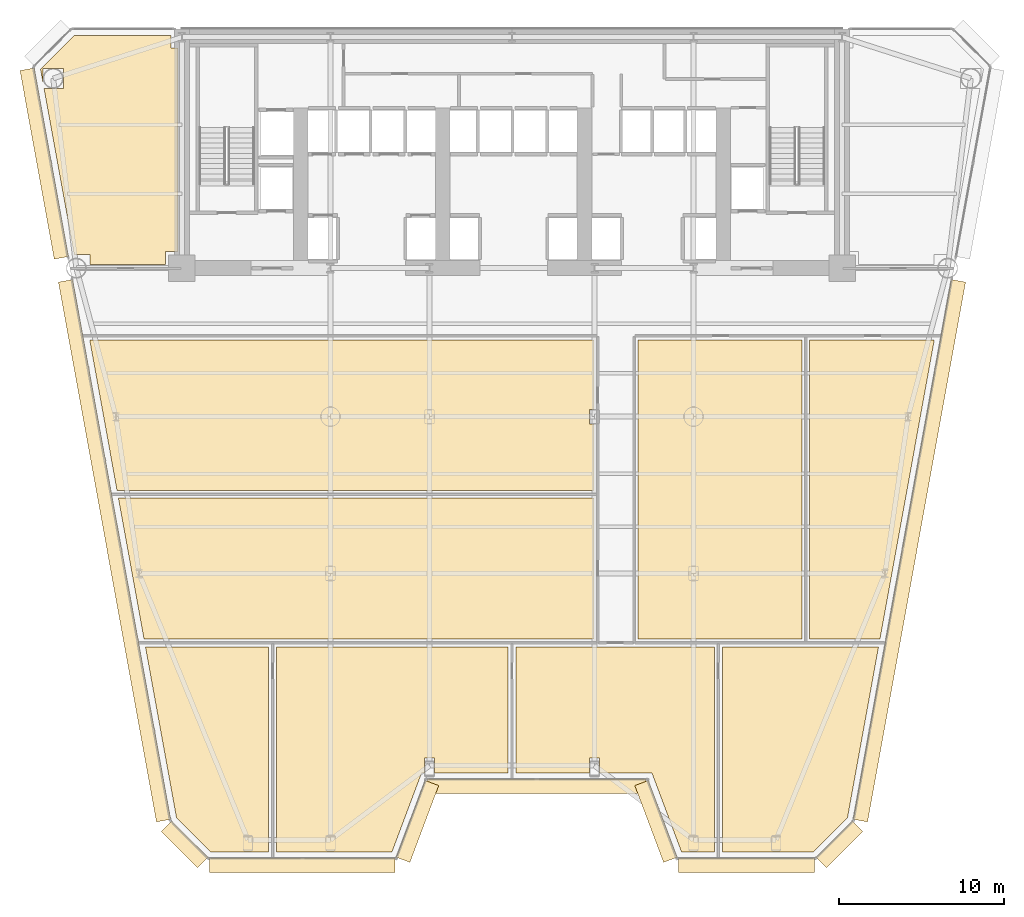
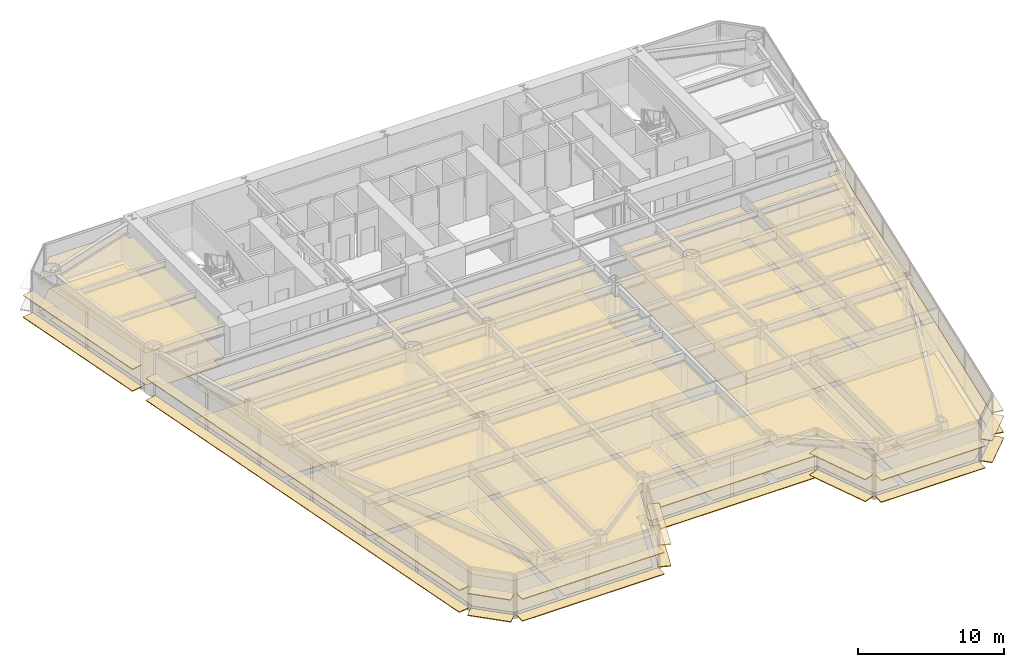
# One storey, part 11 of 14: 38 coverings.
"""IFC4 building model written with IfcOpenShell, lengths in metres."""

from ifc_helpers import new_model, si_unit, direction, frame, origin, origin_2d, place, context, subcontext, project, spatial, polyline, rectangle, outline, extrude, source, transform, mapped, material, layer, layer_set, type_object, element, save


model = new_model("IFC4")

# Units and contexts
model_context = context("Model", 3, precision=1e-05, world=origin(), true_north=direction((0.0, 1.0)))
body_context = subcontext(model_context, "Body", "Model", "MODEL_VIEW")
ifc_project = project(units=[si_unit("LENGTHUNIT", "METRE"), si_unit("AREAUNIT", "SQUARE_METRE"), si_unit("VOLUMEUNIT", "CUBIC_METRE"), si_unit("PLANEANGLEUNIT", "RADIAN"), si_unit("MASSUNIT", "GRAM", prefix="KILO")], contexts=[model_context])

# Site, building, storey
site_placement = place(None, origin())
site = spatial("IfcSite", under=ifc_project, at=site_placement, CompositionType="ELEMENT")
building_placement = place(site_placement, origin())
building = spatial("IfcBuilding", under=site, at=building_placement, Name="Vaeldorn Concourse Tower", CompositionType="ELEMENT")
storey_placement = place(building_placement, frame((0.0, 0.0, 30.199951171875)))
storey = spatial("IfcBuildingStorey", under=building, at=storey_placement, Name="L07", CompositionType="ELEMENT", Elevation=30.199951171875)

# Coverings
ifc_material_1 = material(Name="Acoustic Mineral Fibre Board", Category="gypsum")
ifc_layer_1 = layer(ifc_material_1, 0.0400390625)
ifc_layer_set_1 = layer_set([ifc_layer_1], Name="Acoustic Mineral Fibre Board")
covering_type_1 = type_object("IfcCoveringType", Name="COV-CEIL-ACOUSTIC", PredefinedType="CEILING", material=ifc_layer_set_1)
covering_1_placement = place(storey_placement, frame((0.0, 0.0, 2.650146484375)))
element("IfcCovering", 1, at=covering_1_placement, inside=storey, type_object=covering_type_1, Name="Suspended Acoustic Ceiling L07-3", PredefinedType="CEILING", context=body_context, shape_type="SweptSolid", body=[
    extrude(outline(polyline([(7.4658203125, 50.60009765625), (13.340087890625, 50.60009765625), (13.340087890625, 49.840087890625), (13.760009765625, 49.840087890625), (13.760009765625, 37.5), (13.0, 37.5), (13.0, 36.719970703125), (8.419921875, 36.719970703125), (8.419921875, 37.320068359375), (7.473388671875, 37.320068359375), (5.644287109375, 47.390380859375), (6.8095703125, 47.390380859375), (6.8095703125, 48.609619140625), (5.590576171875, 48.609619140625), (5.590576171875, 47.687255859375), (5.43115234375, 48.565185546875), (7.4658203125, 50.60009765625)])), origin(), (0.0, 0.0, 1.0), 0.039794921875),
])
covering_2_placement = place(storey_placement, frame((0.0, 0.0, 2.650146484375)))
element("IfcCovering", 2, at=covering_2_placement, inside=storey, type_object=covering_type_1, Name="Suspended Acoustic Ceiling L07-5", PredefinedType="CEILING", context=body_context, shape_type="SweptSolid", body=[
    extrude(outline(polyline([(19.260009765625, 13.56005859375), (19.260009765625, 1.1171875), (15.762451171875, 1.1171875), (13.66796875, 3.211669921875), (11.78857421875, 13.56005859375), (19.260009765625, 13.56005859375)])), origin(), (0.0, 0.0, 1.0), 0.039794921875),
])
covering_3_placement = place(storey_placement, frame((0.0, 0.0, 2.650146484375)))
element("IfcCovering", 3, at=covering_3_placement, inside=storey, type_object=covering_type_1, Name="Suspended Acoustic Ceiling L07-6", PredefinedType="CEILING", context=body_context, shape_type="SweptSolid", body=[
    extrude(outline(polyline([(26.722900390625, 1.1171875), (19.739990234375, 1.1171875), (19.739990234375, 13.56005859375), (33.760009765625, 13.56005859375), (33.760009765625, 5.917236328125), (29.300048828125, 5.917236328125), (29.300048828125, 6.806396484375), (28.699951171875, 6.806396484375), (28.699951171875, 5.917236328125), (28.522705078125, 5.917236328125), (26.722900390625, 1.1171875)])), origin(), (0.0, 0.0, 1.0), 0.039794921875),
])
covering_4_placement = place(storey_placement, frame((0.0, 0.0, 2.650146484375)))
element("IfcCovering", 4, at=covering_4_placement, inside=storey, type_object=covering_type_1, Name="Suspended Acoustic Ceiling L07-7", PredefinedType="CEILING", context=body_context, shape_type="SweptSolid", body=[
    extrude(outline(polyline([(34.239990234375, 13.56005859375), (46.260009765625, 13.56005859375), (46.260009765625, 1.1171875), (44.277099609375, 1.1171875), (42.477294921875, 5.917236328125), (39.300048828125, 5.917236328125), (39.300048828125, 6.806396484375), (38.699951171875, 6.806396484375), (38.699951171875, 5.917236328125), (34.239990234375, 5.917236328125), (34.239990234375, 13.56005859375)])), origin(), (0.0, 0.0, 1.0), 0.039794921875),
])
covering_5_placement = place(storey_placement, frame((0.0, 0.0, 2.650146484375)))
element("IfcCovering", 5, at=covering_5_placement, inside=storey, type_object=covering_type_1, Name="Suspended Acoustic Ceiling L07-8", PredefinedType="CEILING", context=body_context, shape_type="SweptSolid", body=[
    extrude(outline(polyline([(52.237548828125, 1.1171875), (46.739990234375, 1.1171875), (46.739990234375, 13.56005859375), (56.21142578125, 13.56005859375), (54.33203125, 3.211669921875), (52.237548828125, 1.1171875)])), origin(), (0.0, 0.0, 1.0), 0.039794921875),
])
covering_6_placement = place(storey_placement, frame((0.0, 0.0, 2.650146484375)))
element("IfcCovering", 6, at=covering_6_placement, inside=storey, type_object=covering_type_1, Name="Suspended Acoustic Ceiling L07-9", PredefinedType="CEILING", context=body_context, shape_type="SweptSolid", body=[
    extrude(outline(polyline([(38.9599609375, 22.56005859375), (38.9599609375, 14.0400390625), (11.701416015625, 14.0400390625), (10.15380859375, 22.56005859375), (38.9599609375, 22.56005859375)])), origin(), (0.0, 0.0, 1.0), 0.039794921875),
])
covering_7_placement = place(storey_placement, frame((0.0, 0.0, 2.650146484375)))
element("IfcCovering", 7, at=covering_7_placement, inside=storey, type_object=covering_type_1, Name="Suspended Acoustic Ceiling L07-10", PredefinedType="CEILING", context=body_context, shape_type="SweptSolid", body=[
    extrude(outline(polyline([(38.9599609375, 32.159912109375), (38.9599609375, 27.949951171875), (38.699951171875, 27.949951171875), (38.699951171875, 27.050048828125), (38.9599609375, 27.050048828125), (38.9599609375, 23.0400390625), (10.06689453125, 23.0400390625), (8.410400390625, 32.159912109375), (38.9599609375, 32.159912109375)])), origin(), (0.0, 0.0, 1.0), 0.039794921875),
])
covering_8_placement = place(storey_placement, frame((0.0, 0.0, 2.650146484375)))
element("IfcCovering", 8, at=covering_8_placement, inside=storey, type_object=covering_type_1, Name="Suspended Acoustic Ceiling L07-11", PredefinedType="CEILING", context=body_context, shape_type="SweptSolid", body=[
    extrude(outline(polyline([(41.639892578125, 32.159912109375), (51.56005859375, 32.159912109375), (51.56005859375, 14.0400390625), (41.639892578125, 14.0400390625), (41.639892578125, 32.159912109375)])), origin(), (0.0, 0.0, 1.0), 0.039794921875),
])
covering_9_placement = place(storey_placement, frame((0.0, 0.0, 2.650146484375)))
element("IfcCovering", 9, at=covering_9_placement, inside=storey, type_object=covering_type_1, Name="Suspended Acoustic Ceiling L07-12", PredefinedType="CEILING", context=body_context, shape_type="SweptSolid", body=[
    extrude(outline(polyline([(52.0400390625, 14.0400390625), (52.0400390625, 32.159912109375), (59.589599609375, 32.159912109375), (56.298583984375, 14.0400390625), (52.0400390625, 14.0400390625)])), origin(), (0.0, 0.0, 1.0), 0.039794921875),
])
ifc_material_2 = material(Name="Honed Limestone Terrazzo Flooring", Category="masonry")
ifc_layer_2 = layer(ifc_material_2, 0.0400390625)
ifc_layer_set_2 = layer_set([ifc_layer_2], Name="Honed Limestone Terrazzo Flooring")
covering_type_2 = type_object("IfcCoveringType", Name="COV-FLOOR-STONE", PredefinedType="FLOORING", material=ifc_layer_set_2)
covering_10_placement = place(storey_placement, origin())
element("IfcCovering", 10, at=covering_10_placement, inside=storey, type_object=covering_type_2, Name="Floor Finish Covering L07-3", PredefinedType="FLOORING", context=body_context, shape_type="SweptSolid", body=[
    extrude(outline(polyline([(7.4658203125, 50.60009765625), (13.340087890625, 50.60009765625), (13.340087890625, 49.840087890625), (13.760009765625, 49.840087890625), (13.760009765625, 37.5), (13.0, 37.5), (13.0, 36.719970703125), (8.419921875, 36.719970703125), (8.419921875, 37.320068359375), (7.473388671875, 37.320068359375), (5.644287109375, 47.390380859375), (6.8095703125, 47.390380859375), (6.8095703125, 48.609619140625), (5.590576171875, 48.609619140625), (5.590576171875, 47.687255859375), (5.43115234375, 48.565185546875), (7.4658203125, 50.60009765625)])), origin(), (0.0, 0.0, 1.0), 0.030029296875),
])
covering_11_placement = place(storey_placement, origin())
element("IfcCovering", 11, at=covering_11_placement, inside=storey, type_object=covering_type_2, Name="Floor Finish Covering L07-5", PredefinedType="FLOORING", context=body_context, shape_type="SweptSolid", body=[
    extrude(outline(polyline([(19.260009765625, 13.56005859375), (19.260009765625, 1.1171875), (15.762451171875, 1.1171875), (13.66796875, 3.211669921875), (11.78857421875, 13.56005859375), (19.260009765625, 13.56005859375)])), origin(), (0.0, 0.0, 1.0), 0.030029296875),
])
covering_12_placement = place(storey_placement, origin())
element("IfcCovering", 12, at=covering_12_placement, inside=storey, type_object=covering_type_2, Name="Floor Finish Covering L07-6", PredefinedType="FLOORING", context=body_context, shape_type="SweptSolid", body=[
    extrude(outline(polyline([(26.722900390625, 1.1171875), (19.739990234375, 1.1171875), (19.739990234375, 13.56005859375), (33.760009765625, 13.56005859375), (33.760009765625, 5.917236328125), (29.300048828125, 5.917236328125), (29.300048828125, 6.806396484375), (28.699951171875, 6.806396484375), (28.699951171875, 5.917236328125), (28.522705078125, 5.917236328125), (26.722900390625, 1.1171875)])), origin(), (0.0, 0.0, 1.0), 0.030029296875),
])
covering_13_placement = place(storey_placement, origin())
element("IfcCovering", 13, at=covering_13_placement, inside=storey, type_object=covering_type_2, Name="Floor Finish Covering L07-7", PredefinedType="FLOORING", context=body_context, shape_type="SweptSolid", body=[
    extrude(outline(polyline([(34.239990234375, 13.56005859375), (46.260009765625, 13.56005859375), (46.260009765625, 1.1171875), (44.277099609375, 1.1171875), (42.477294921875, 5.917236328125), (39.300048828125, 5.917236328125), (39.300048828125, 6.806396484375), (38.699951171875, 6.806396484375), (38.699951171875, 5.917236328125), (34.239990234375, 5.917236328125), (34.239990234375, 13.56005859375)])), origin(), (0.0, 0.0, 1.0), 0.030029296875),
])
covering_14_placement = place(storey_placement, origin())
element("IfcCovering", 14, at=covering_14_placement, inside=storey, type_object=covering_type_2, Name="Floor Finish Covering L07-8", PredefinedType="FLOORING", context=body_context, shape_type="SweptSolid", body=[
    extrude(outline(polyline([(52.237548828125, 1.1171875), (46.739990234375, 1.1171875), (46.739990234375, 13.56005859375), (56.21142578125, 13.56005859375), (54.33203125, 3.211669921875), (52.237548828125, 1.1171875)])), origin(), (0.0, 0.0, 1.0), 0.030029296875),
])
covering_15_placement = place(storey_placement, origin())
element("IfcCovering", 15, at=covering_15_placement, inside=storey, type_object=covering_type_2, Name="Floor Finish Covering L07-9", PredefinedType="FLOORING", context=body_context, shape_type="SweptSolid", body=[
    extrude(outline(polyline([(38.9599609375, 22.56005859375), (38.9599609375, 14.0400390625), (11.701416015625, 14.0400390625), (10.15380859375, 22.56005859375), (38.9599609375, 22.56005859375)])), origin(), (0.0, 0.0, 1.0), 0.030029296875),
])
covering_16_placement = place(storey_placement, origin())
element("IfcCovering", 16, at=covering_16_placement, inside=storey, type_object=covering_type_2, Name="Floor Finish Covering L07-10", PredefinedType="FLOORING", context=body_context, shape_type="SweptSolid", body=[
    extrude(outline(polyline([(38.9599609375, 32.159912109375), (38.9599609375, 27.949951171875), (38.699951171875, 27.949951171875), (38.699951171875, 27.050048828125), (38.9599609375, 27.050048828125), (38.9599609375, 23.0400390625), (10.06689453125, 23.0400390625), (8.410400390625, 32.159912109375), (38.9599609375, 32.159912109375)])), origin(), (0.0, 0.0, 1.0), 0.030029296875),
])
covering_17_placement = place(storey_placement, origin())
element("IfcCovering", 17, at=covering_17_placement, inside=storey, type_object=covering_type_2, Name="Floor Finish Covering L07-11", PredefinedType="FLOORING", context=body_context, shape_type="SweptSolid", body=[
    extrude(outline(polyline([(41.639892578125, 32.159912109375), (51.56005859375, 32.159912109375), (51.56005859375, 14.0400390625), (41.639892578125, 14.0400390625), (41.639892578125, 32.159912109375)])), origin(), (0.0, 0.0, 1.0), 0.030029296875),
])
covering_18_placement = place(storey_placement, origin())
element("IfcCovering", 18, at=covering_18_placement, inside=storey, type_object=covering_type_2, Name="Floor Finish Covering L07-12", PredefinedType="FLOORING", context=body_context, shape_type="SweptSolid", body=[
    extrude(outline(polyline([(52.0400390625, 14.0400390625), (52.0400390625, 32.159912109375), (59.589599609375, 32.159912109375), (56.298583984375, 14.0400390625), (52.0400390625, 14.0400390625)])), origin(), (0.0, 0.0, 1.0), 0.030029296875),
])
ifc_material_3 = material(Name="Anodised Bronze Aluminium", Category="aluminium")
ifc_layer_3 = layer(ifc_material_3, 0.06494140625)
ifc_layer_set_3 = layer_set([ifc_layer_3], Name="Anodised Bronze Aluminium")
covering_type_3 = type_object("IfcCoveringType", Name="SD-BRONZE-SUNSHADE", PredefinedType="USERDEFINED", material=ifc_layer_set_3)
shared_shape_1 = source(origin(), body_context, "Body", "SweptSolid", [
    extrude(rectangle(XDim=4.96630859375, YDim=0.8798828125, at=origin_2d()), origin(), (0.0, 0.0, 1.0), 0.06494140625),
])
for number, where, z_axis, x_axis, name in (
    (19, (28.2744140625, 2.976806640625, 0.047607421875), (0.0, 0.0, 1.0), (0.351122702609, 0.936329454686, 0.0), "Horizontal Bronze Sunshade L07-E02.1.1"),
    (20, (28.2744140625, 2.976806640625, 1.86767578125), (0.0, 0.0, 1.0), (0.351122702609, 0.936329454686, 0.0), "Horizontal Bronze Sunshade L07-E02.1.2"),
    (21, (42.7255859375, 2.976806640625, 0.047607421875), (0.0, 0.0, 1.0), (0.351122702609, -0.936329454686, 0.0), "Horizontal Bronze Sunshade L07-E04.1.1"),
    (22, (42.7255859375, 2.976806640625, 1.86767578125), (0.0, 0.0, 1.0), (0.351122702609, -0.936329454686, 0.0), "Horizontal Bronze Sunshade L07-E04.1.2"),
):
    element("IfcCovering", number, at=place(storey_placement, frame(where, z_axis=z_axis, x_axis=x_axis)), inside=storey, type_object=covering_type_3, Name=name, ObjectType="SUNSHADE", PredefinedType="USERDEFINED", context=body_context, shape_type="MappedRepresentation", body=[
        mapped(shared_shape_1, transform((0.0, 0.0, 0.0), scale=1.0)),
    ])
shared_shape_2 = source(origin(), body_context, "Body", "SweptSolid", [
    extrude(rectangle(XDim=13.239990234375, YDim=0.8798828125, at=origin_2d()), origin(), (0.0, 0.0, 1.0), 0.06494140625),
])
for number, where, z_axis, x_axis, name in (
    (23, (35.5, 5.1171875, 0.047607421875), (0.0, 0.0, 1.0), (1.0, 0.0, 0.0), "Horizontal Bronze Sunshade L07-E03.1.1"),
    (24, (35.5, 5.1171875, 1.86767578125), (0.0, 0.0, 1.0), (1.0, 0.0, 0.0), "Horizontal Bronze Sunshade L07-E03.1.2"),
):
    element("IfcCovering", number, at=place(storey_placement, frame(where, z_axis=z_axis, x_axis=x_axis)), inside=storey, type_object=covering_type_3, Name=name, ObjectType="SUNSHADE", PredefinedType="USERDEFINED", context=body_context, shape_type="MappedRepresentation", body=[
        mapped(shared_shape_2, transform((0.0, 0.0, 0.0), scale=1.0)),
    ])
shared_shape_3 = source(origin(), body_context, "Body", "SweptSolid", [
    extrude(rectangle(XDim=3.0927734375, YDim=0.8798828125, at=origin_2d()), origin(), (0.0, 0.0, 1.0), 0.06494140625),
])
for number, where, z_axis, x_axis, name in (
    (25, (53.836181640625, 1.58447265625, 0.047607421875), (0.0, 0.0, 1.0), (0.707106781187, 0.707106781187, 0.0), "Horizontal Bronze Sunshade L07-E06.1.1"),
    (26, (53.836181640625, 1.58447265625, 1.86767578125), (0.0, 0.0, 1.0), (0.707106781187, 0.707106781187, 0.0), "Horizontal Bronze Sunshade L07-E06.1.2"),
    (27, (14.163818359375, 1.58447265625, 0.047607421875), (0.0, 0.0, 1.0), (0.707106781187, -0.707106781187, 0.0), "Horizontal Bronze Sunshade L07-E12.1.1"),
    (28, (14.163818359375, 1.58447265625, 1.86767578125), (0.0, 0.0, 1.0), (0.707106781187, -0.707106781187, 0.0), "Horizontal Bronze Sunshade L07-E12.1.2"),
):
    element("IfcCovering", number, at=place(storey_placement, frame(where, z_axis=z_axis, x_axis=x_axis)), inside=storey, type_object=covering_type_3, Name=name, ObjectType="SUNSHADE", PredefinedType="USERDEFINED", context=body_context, shape_type="MappedRepresentation", body=[
        mapped(shared_shape_3, transform((0.0, 0.0, 0.0), scale=1.0)),
    ])
shared_shape_4 = source(origin(), body_context, "Body", "SweptSolid", [
    extrude(rectangle(XDim=11.60986328125, YDim=0.8798828125, at=origin_2d()), origin(), (0.0, 0.0, 1.0), 0.06494140625),
])
for number, where, z_axis, x_axis, name in (
    (29, (5.657958984375, 42.83837890625, 0.047607421875), (0.0, 0.0, 1.0), (0.178699181936, -0.983903756663, 0.0), "Horizontal Bronze Sunshade L07-E11.1.1"),
    (30, (5.657958984375, 42.83837890625, 1.86767578125), (0.0, 0.0, 1.0), (0.178699181936, -0.983903756663, 0.0), "Horizontal Bronze Sunshade L07-E11.1.2"),
):
    element("IfcCovering", number, at=place(storey_placement, frame(where, z_axis=z_axis, x_axis=x_axis)), inside=storey, type_object=covering_type_3, Name=name, ObjectType="SUNSHADE", PredefinedType="USERDEFINED", context=body_context, shape_type="MappedRepresentation", body=[
        mapped(shared_shape_4, transform((0.0, 0.0, 0.0), scale=1.0)),
    ])
shared_shape_5 = source(origin(), body_context, "Body", "SweptSolid", [
    extrude(rectangle(XDim=11.243408203125, YDim=0.8798828125, at=origin_2d()), origin(), (0.0, 0.0, 1.0), 0.06494140625),
])
for number, where, z_axis, x_axis, name in (
    (31, (21.29833984375, 0.317138671875, 0.047607421875), (0.0, 0.0, 1.0), (1.0, 0.0, 0.0), "Horizontal Bronze Sunshade L07-E01.1.1"),
    (32, (21.29833984375, 0.317138671875, 1.86767578125), (0.0, 0.0, 1.0), (1.0, 0.0, 0.0), "Horizontal Bronze Sunshade L07-E01.1.2"),
):
    element("IfcCovering", number, at=place(storey_placement, frame(where, z_axis=z_axis, x_axis=x_axis)), inside=storey, type_object=covering_type_3, Name=name, ObjectType="SUNSHADE", PredefinedType="USERDEFINED", context=body_context, shape_type="MappedRepresentation", body=[
        mapped(shared_shape_5, transform((0.0, 0.0, 0.0), scale=1.0)),
    ])
shared_shape_6 = source(origin(), body_context, "Body", "SweptSolid", [
    extrude(rectangle(XDim=8.243408203125, YDim=0.8798828125, at=origin_2d()), origin(), (0.0, 0.0, 1.0), 0.06494140625),
])
for number, where, z_axis, x_axis, name in (
    (33, (48.20166015625, 0.317138671875, 0.047607421875), (0.0, 0.0, 1.0), (1.0, 0.0, 0.0), "Horizontal Bronze Sunshade L07-E05.1.1"),
    (34, (48.20166015625, 0.317138671875, 1.86767578125), (0.0, 0.0, 1.0), (1.0, 0.0, 0.0), "Horizontal Bronze Sunshade L07-E05.1.2"),
):
    element("IfcCovering", number, at=place(storey_placement, frame(where, z_axis=z_axis, x_axis=x_axis)), inside=storey, type_object=covering_type_3, Name=name, ObjectType="SUNSHADE", PredefinedType="USERDEFINED", context=body_context, shape_type="MappedRepresentation", body=[
        mapped(shared_shape_6, transform((0.0, 0.0, 0.0), scale=1.0)),
    ])
shared_shape_7 = source(origin(), body_context, "Body", "SweptSolid", [
    extrude(rectangle(XDim=33.240966796875, YDim=0.8798828125, at=origin_2d()), origin(), (0.0, 0.0, 1.0), 0.06494140625),
])
for number, where, z_axis, x_axis, name in (
    (35, (58.0810546875, 19.37744140625, 0.047607421875), (0.0, 0.0, 1.0), (0.178699181936, 0.983903756663, 0.0), "Horizontal Bronze Sunshade L07-E07.1.1"),
    (36, (58.0810546875, 19.37744140625, 1.86767578125), (0.0, 0.0, 1.0), (0.178699181936, 0.983903756663, 0.0), "Horizontal Bronze Sunshade L07-E07.1.2"),
    (37, (9.9189453125, 19.37744140625, 0.047607421875), (0.0, 0.0, 1.0), (0.178699181936, -0.983903756663, 0.0), "Horizontal Bronze Sunshade L07-E11.2.1"),
    (38, (9.9189453125, 19.37744140625, 1.86767578125), (0.0, 0.0, 1.0), (0.178699181936, -0.983903756663, 0.0), "Horizontal Bronze Sunshade L07-E11.2.2"),
):
    element("IfcCovering", number, at=place(storey_placement, frame(where, z_axis=z_axis, x_axis=x_axis)), inside=storey, type_object=covering_type_3, Name=name, ObjectType="SUNSHADE", PredefinedType="USERDEFINED", context=body_context, shape_type="MappedRepresentation", body=[
        mapped(shared_shape_7, transform((0.0, 0.0, 0.0), scale=1.0)),
    ])

save(model, "model.ifc")
